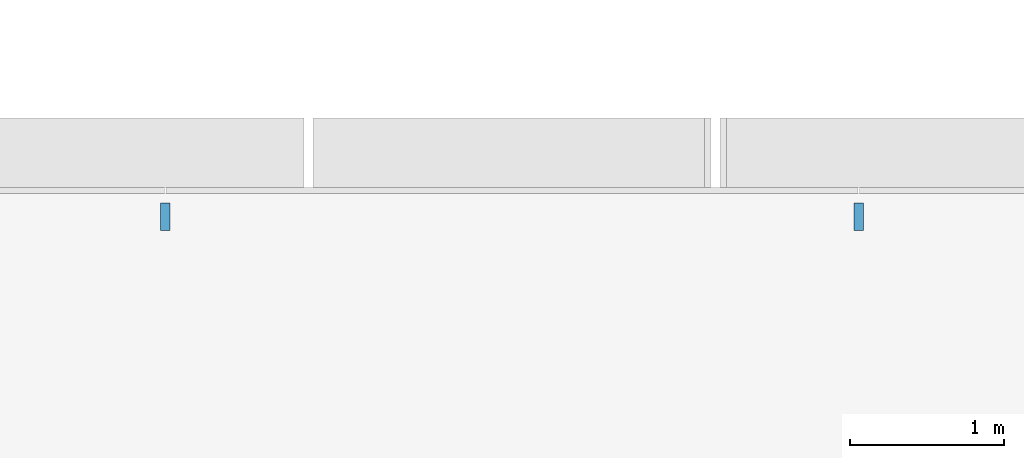
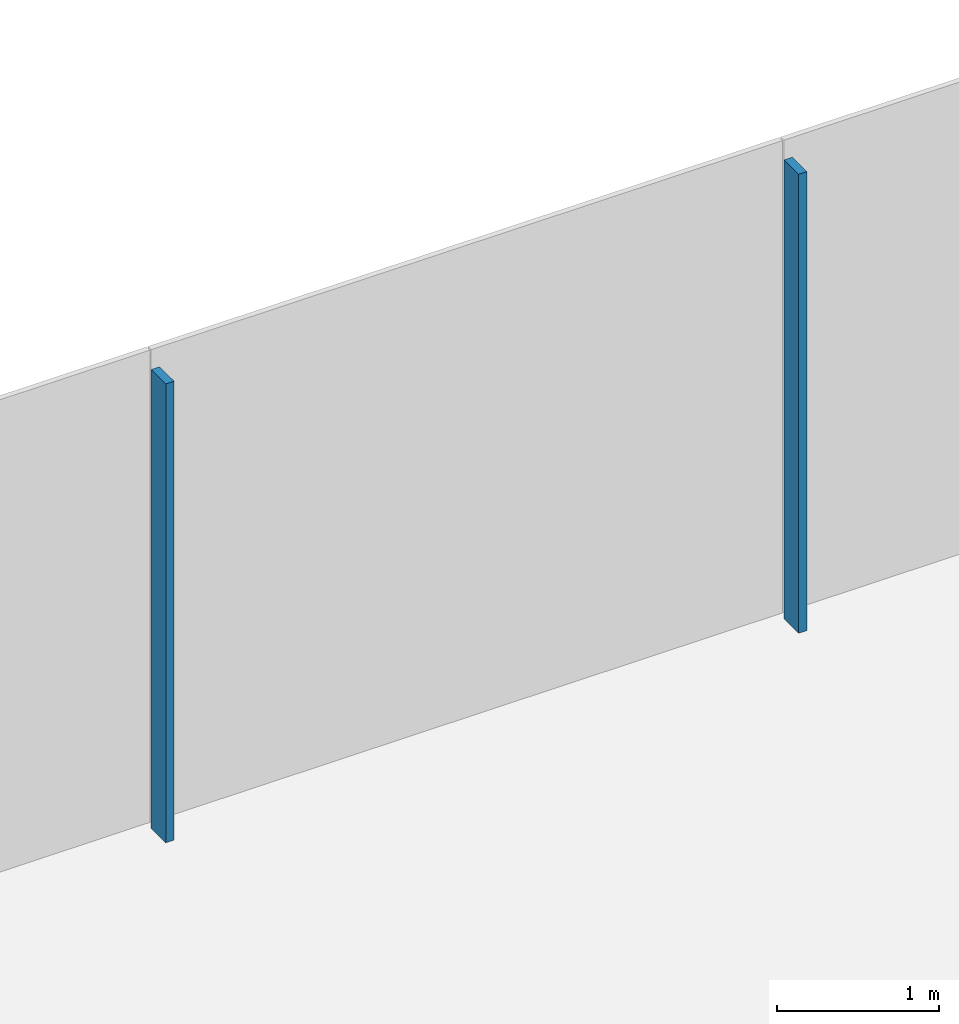
# One storey, part 5 of 18: 2 members, 1 element without a shape of its own.
"""IFC4 building model written with IfcOpenShell, lengths in metres."""

from ifc_helpers import new_model, si_unit, direction, frame, origin, origin_2d, place, context, subcontext, project, spatial, rectangle, extrude, material, layer, layer_set, material_profile, profile_set, type_object, element, aggregate, save


model = new_model("IFC4")

# Units and contexts
model_context = context("Model", 3, precision=1e-05, world=origin(), true_north=direction((0.0, 1.0)))
body_context = subcontext(model_context, "Body", "Model", "MODEL_VIEW")
ifc_project = project(units=[si_unit("LENGTHUNIT", "METRE"), si_unit("AREAUNIT", "SQUARE_METRE"), si_unit("VOLUMEUNIT", "CUBIC_METRE"), si_unit("PLANEANGLEUNIT", "RADIAN"), si_unit("MASSUNIT", "GRAM", prefix="KILO")], contexts=[model_context])

# Site, building, storey
site_placement = place(None, origin())
site = spatial("IfcSite", under=ifc_project, at=site_placement, CompositionType="ELEMENT")
building_placement = place(site_placement, origin())
building = spatial("IfcBuilding", under=site, at=building_placement, Name="Shamsa Quay Exchange Towers", CompositionType="ELEMENT")
storey_placement = place(building_placement, frame((0.0, 0.0, 117.0)))
storey = spatial("IfcBuildingStorey", under=building, at=storey_placement, Name="L27", CompositionType="ELEMENT", Elevation=117.0)

# Curtain wall, members
ifc_material = material(Name="Aluminium EN AW-6063 T6, black anodised", Category="aluminium")
ifc_layer = layer(ifc_material, 0.280029296875)
ifc_layer_set = layer_set([ifc_layer], Name="CW-1 UNITISED VISION GLASS")
curtain_wall_type = type_object("IfcCurtainWallType", Name="CW-1 UNITISED VISION GLASS", PredefinedType="NOTDEFINED", material=ifc_layer_set)
curtain_wall_placement = place(storey_placement, origin())
curtain_wall = element("IfcCurtainWall", 1, at=curtain_wall_placement, inside=storey, type_object=curtain_wall_type, Name="CW1 T1-END-V+ L27", PredefinedType="NOTDEFINED")
ifc_material_profile = material_profile(ifc_material, rectangle(XDim=0.179931640625, YDim=0.06005859375, at=origin_2d()), Name="MU60x180")
ifc_profile_set = profile_set([ifc_material_profile], Name="Aluminium EN AW-6063 T6, black anodised")
member_type = type_object("IfcMemberType", Name="CW1 MULLION 60x180", PredefinedType="MULLION", material=ifc_profile_set)
member_1_placement = place(storey_placement, frame((-31.5, 20.10009765625, 0.0), z_axis=(0.0, 0.0, 1.0), x_axis=(0.0, -1.0, 0.0)))
member_1 = element("IfcMember", 2, at=member_1_placement, type_object=member_type, Name="CW1 mullion", PredefinedType="MULLION", context=body_context, shape_type="SweptSolid", body=[
    extrude(rectangle(XDim=0.179931640625, YDim=0.06005859375, at=origin_2d()), origin(), (0.0, 0.0, 1.0), 3.449951171875),
])
member_2_placement = place(storey_placement, frame((-36.0, 20.10009765625, 0.0), z_axis=(0.0, 0.0, 1.0), x_axis=(0.0, -1.0, 0.0)))
member_2 = element("IfcMember", 3, at=member_2_placement, type_object=member_type, Name="CW1 mullion", PredefinedType="MULLION", context=body_context, shape_type="SweptSolid", body=[
    extrude(rectangle(XDim=0.179931640625, YDim=0.06005859375, at=origin_2d()), origin(), (0.0, 0.0, 1.0), 3.449951171875),
])
aggregate(curtain_wall, [member_1, member_2])

save(model, "model.ifc")
